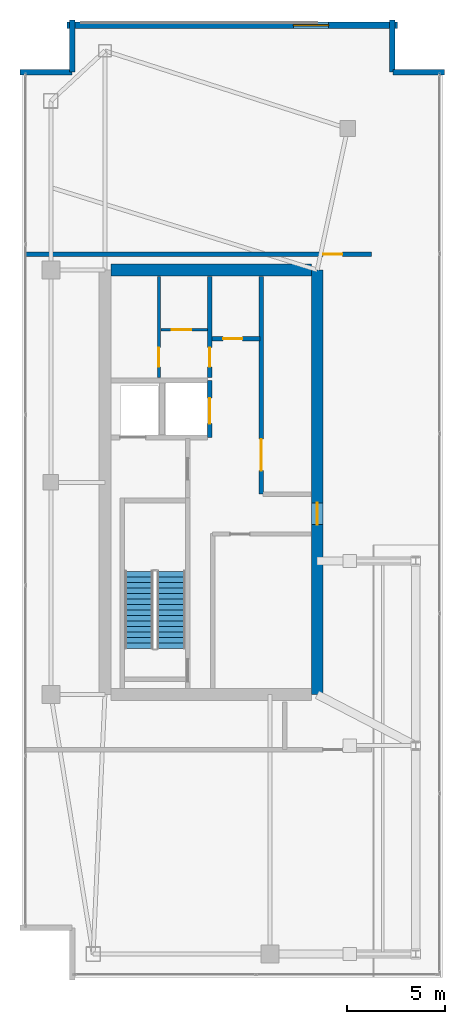
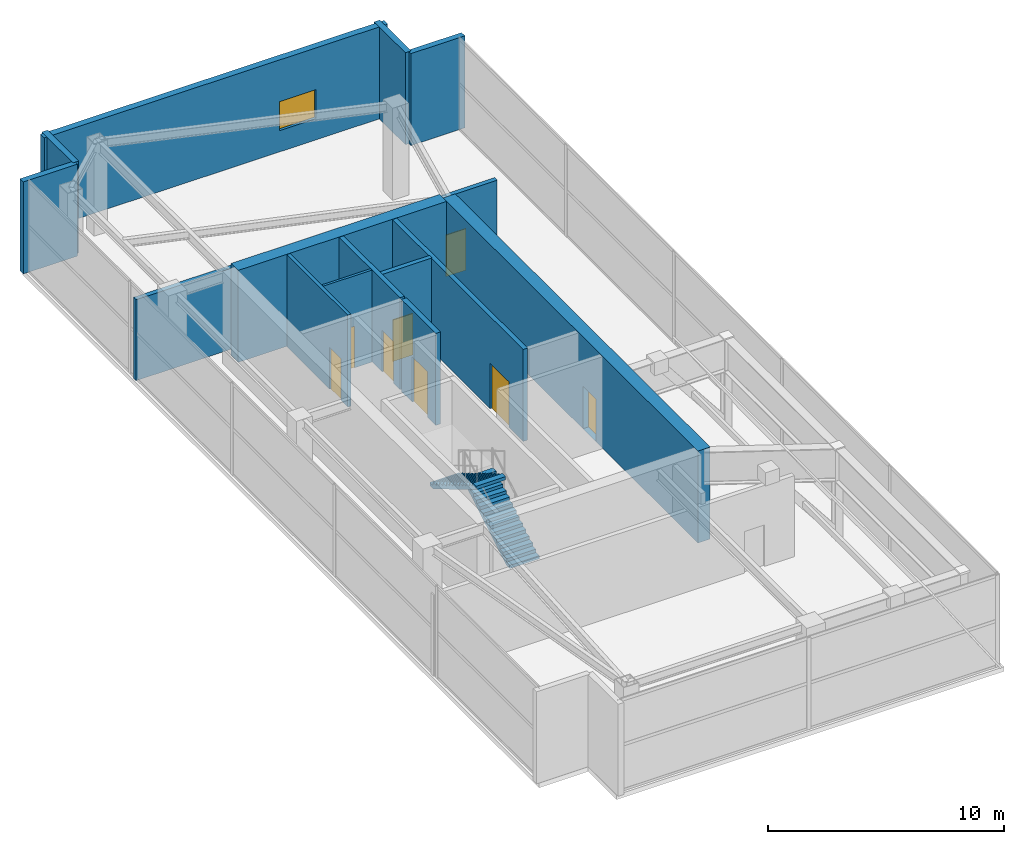
# One storey, part 18 of 20: 14 walls, 8 doors, 2 stair flights, 1 window, 9 openings, 1 element without a shape of its own.
"""IFC4 building model written with IfcOpenShell, lengths in metres."""

from ifc_helpers import new_model, si_unit, direction, frame, frame_2d, origin, place, context, subcontext, project, spatial, polyline, rectangle, outline, extrude, material, layer, layer_set, type_object, element, fill, aggregate, save


model = new_model("IFC4")

# Units and contexts
model_context = context("Model", 3, precision=1e-05, world=origin(), true_north=direction((0.0, 1.0)))
body_context = subcontext(model_context, "Body", "Model", "MODEL_VIEW")
ifc_project = project(units=[si_unit("LENGTHUNIT", "METRE"), si_unit("AREAUNIT", "SQUARE_METRE"), si_unit("VOLUMEUNIT", "CUBIC_METRE"), si_unit("PLANEANGLEUNIT", "RADIAN"), si_unit("MASSUNIT", "GRAM", prefix="KILO")], contexts=[model_context])

# Site, building, storey
site_placement = place(None, origin())
site = spatial("IfcSite", under=ifc_project, at=site_placement, CompositionType="ELEMENT")
building_placement = place(site_placement, origin())
building = spatial("IfcBuilding", under=site, at=building_placement, Name="Calvorn Quay Hotel", CompositionType="ELEMENT")
storey_placement = place(building_placement, frame((0.0, 0.0, 340.5)))
storey = spatial("IfcBuildingStorey", under=building, at=storey_placement, Name="L83", CompositionType="ELEMENT", Elevation=340.5)

# Wall, opening, door
ifc_material_1 = material(Name="Concrete C45", Category="concrete")
ifc_layer_1 = layer(ifc_material_1, 0.60009765625)
ifc_layer_set_1 = layer_set([ifc_layer_1], Name="WL-CORE-600")
wall_type_1 = type_object("IfcWallType", Name="WL-CORE-600", PredefinedType="SHEAR", material=ifc_layer_set_1)
wall_1_placement = place(storey_placement, frame((15.0, 16.800048828125, 0.0), z_axis=(0.0, 0.0, 1.0), x_axis=(0.0, 1.0, 0.0)))
wall_1 = element("IfcWall", 1, at=wall_1_placement, inside=storey, type_object=wall_type_1, Name="West Core Shear Wall E (L83)", PredefinedType="SHEAR", context=body_context, shape_type="SweptSolid", body=[
    extrude(rectangle(XDim=21.599853515625, YDim=0.60009765625, at=frame_2d((10.7998046875, 0.0))), origin(), (0.0, 0.0, 1.0), 4.760009765625),
])
opening_1_placement = place(wall_1_placement, frame((8.64990234375, 0.0, 0.0)))
opening_1 = element("IfcOpeningElement", 2, at=opening_1_placement, cuts=wall_1, Name="Opening D-L83-CW1", PredefinedType="OPENING", context=body_context, shape_type="SweptSolid", body=[
    extrude(rectangle(XDim=1.10009765625, YDim=2.199951171875, at=frame_2d((0.550048828125, 1.10009765625))), frame((0.0, 0.31005859375, 0.0), z_axis=(0.0, -1.0, 0.0), x_axis=(1.0, 0.0, 0.0)), (0.0, 0.0, 1.0), 0.6201171875),
])
ifc_material_2 = material(Name="Smoke-Sealed Steel Class A Fire Door", Category="steel")
door_type_1 = type_object("IfcDoorType", Name="DR-FFLOBBY-1100", OperationType="NOTDEFINED", PredefinedType="DOOR", material=ifc_material_2)
door_1_placement = place(opening_1_placement, origin())
door_1 = element("IfcDoor", 3, at=door_1_placement, inside=storey, type_object=door_type_1, Name="West Core Vestibule Fire Door (L83)", OperationType="SINGLE_SWING_RIGHT", OverallHeight=2.199951171875, OverallWidth=1.10009765625, PredefinedType="DOOR", context=body_context, shape_type="SweptSolid", body=[
    extrude(rectangle(XDim=1.10009765625, YDim=2.199951171875, at=frame_2d((0.550048828125, 1.10009765625))), frame((0.0, 0.02490234375, 0.0), z_axis=(0.0, -1.0, 0.0), x_axis=(1.0, 0.0, 0.0)), (0.0, 0.0, 1.0), 0.050048828125),
])
fill(opening_1, door_1)

# Wall
wall_2_placement = place(storey_placement, frame((4.5, 38.39990234375, 0.0), z_axis=(0.0, 0.0, 1.0), x_axis=(1.0, 0.0, 0.0)))
element("IfcWall", 4, at=wall_2_placement, inside=storey, type_object=wall_type_1, Name="West Core Shear Wall N (L83)", PredefinedType="SHEAR", context=body_context, shape_type="SweptSolid", body=[
    extrude(rectangle(XDim=10.199951171875, YDim=0.60009765625, at=frame_2d((5.10009765625, 0.0))), origin(), (0.0, 0.0, 1.0), 4.760009765625),
])

# Wall, opening, door
ifc_material_3 = material(Name="Moisture-Resistant Tile-Backed Partition")
ifc_layer_2 = layer(ifc_material_3, 0.125)
ifc_layer_set_2 = layer_set([ifc_layer_2], Name="WL-ENSUITE-125")
wall_type_2 = type_object("IfcWallType", Name="WL-ENSUITE-125", PredefinedType="PARTITIONING", material=ifc_layer_set_2)
wall_3_placement = place(storey_placement, frame((7.050048828125, 35.35009765625, 0.0), z_axis=(0.0, 0.0, 1.0), x_axis=(1.0, 0.0, 0.0)))
wall_3 = element("IfcWall", 5, at=wall_3_placement, inside=storey, type_object=wall_type_2, Name="Partition Wall L83-WL-CWW-K-H", PredefinedType="PARTITIONING", context=body_context, shape_type="SweptSolid", body=[
    extrude(rectangle(XDim=2.369873046875, YDim=0.125, at=frame_2d((1.18505859375, 0.0))), origin(), (0.0, 0.0, 1.0), 4.760009765625),
])
opening_2_placement = place(wall_3_placement, frame((0.550048828125, 0.0, 0.0)))
opening_2 = element("IfcOpeningElement", 6, at=opening_2_placement, cuts=wall_3, Name="Opening D-L83-CK3", PredefinedType="OPENING", context=body_context, shape_type="SweptSolid", body=[
    extrude(rectangle(XDim=0.97998046875, YDim=2.14990234375, at=frame_2d((0.489990234375, 1.074951171875))), frame((0.0, 0.072509765625, 0.0), z_axis=(0.0, -1.0, 0.0), x_axis=(1.0, 0.0, 0.0)), (0.0, 0.0, 1.0), 0.14501953125),
])
ifc_material_4 = material(Name="Painted Steel Housekeeping/Riser Fire Door", Category="steel")
door_type_2 = type_object("IfcDoorType", Name="DR-SERVICE-980", OperationType="NOTDEFINED", PredefinedType="DOOR", material=ifc_material_4)
door_2_placement = place(opening_2_placement, origin())
door_2 = element("IfcDoor", 7, at=door_2_placement, inside=storey, type_object=door_type_2, Name="Telecom Closet Door (L83)", OperationType="SINGLE_SWING_RIGHT", OverallHeight=2.14990234375, OverallWidth=0.97998046875, PredefinedType="DOOR", context=body_context, shape_type="SweptSolid", body=[
    extrude(rectangle(XDim=0.97998046875, YDim=2.14990234375, at=frame_2d((0.489990234375, 1.074951171875))), frame((0.0, 0.02490234375, 0.0), z_axis=(0.0, -1.0, 0.0), x_axis=(1.0, 0.0, 0.0)), (0.0, 0.0, 1.0), 0.050048828125),
])
fill(opening_2, door_2)

# Walls
ifc_material_5 = material(Name="Concrete C40", Category="concrete")
ifc_layer_3 = layer(ifc_material_5, 0.320068359375)
ifc_layer_set_3 = layer_set([ifc_layer_3], Name="WL-EXT-SPANDREL-320")
wall_type_3 = type_object("IfcWallType", Name="WL-EXT-SPANDREL-320", PredefinedType="SOLIDWALL", material=ifc_layer_set_3)
for number, where, z_axis, x_axis, name in (
    (8, (21.487060546875, 48.449951171875, 0.0), (0.0, 0.0, 1.0), (-1.0, 0.0, 0.0), "Crown Notched Corner Spandrel L83-C3"),
    (9, (18.81689453125, 48.47998046875, 0.0), (0.0, 0.0, 1.0), (0.0, 1.0, 0.0), "Crown Notched Corner Spandrel L83-C4"),
):
    element("IfcWall", number, at=place(storey_placement, frame(where, z_axis=z_axis, x_axis=x_axis)), inside=storey, type_object=wall_type_3, Name=name, PredefinedType="SOLIDWALL", context=body_context, shape_type="SweptSolid", body=[
        extrude(rectangle(XDim=2.64013671875, YDim=0.280029296875, at=frame_2d((1.320068359375, 0.0))), origin(), (0.0, 0.0, 1.0), 4.760009765625),
    ])

# Wall, opening, window
wall_4_placement = place(storey_placement, frame((19.0869140625, 50.85009765625, 0.0), z_axis=(0.0, 0.0, 1.0), x_axis=(-1.0, 0.0, 0.0)))
wall_4 = element("IfcWall", 10, at=wall_4_placement, inside=storey, type_object=wall_type_3, Name="Crown North Louvred Plant Wall (L83)", PredefinedType="SOLIDWALL", context=body_context, shape_type="SweptSolid", body=[
    extrude(rectangle(XDim=16.806884765625, YDim=0.320068359375, at=frame_2d((8.4033203125, 0.0))), origin(), (0.0, 0.0, 1.0), 4.760009765625),
])
opening_3_placement = place(wall_4_placement, frame((3.5, 0.0, 1.10009765625)))
opening_3 = element("IfcOpeningElement", 11, at=opening_3_placement, cuts=wall_4, Name="Opening WPL-L83-1", PredefinedType="OPENING", context=body_context, shape_type="SweptSolid", body=[
    extrude(rectangle(XDim=1.800048828125, YDim=1.5, at=frame_2d((0.89990234375, 0.75))), frame((0.0, 0.169921875, 0.0), z_axis=(0.0, -1.0, 0.0), x_axis=(1.0, 0.0, 0.0)), (0.0, 0.0, 1.0), 0.340087890625),
])
ifc_material_6 = material(Name="Acoustic Weatherproof Aluminium Louvre Unit", Category="aluminium")
window_type = type_object("IfcWindowType", Name="WIN-PLANT-LOUVRE-1800x1500", PartitioningType="SINGLE_PANEL", PredefinedType="WINDOW", material=ifc_material_6)
window_placement = place(opening_3_placement, origin())
window = element("IfcWindow", 12, at=window_placement, inside=storey, type_object=window_type, Name="Crown Plant Acoustic Louvre (L83)", OverallHeight=1.5, OverallWidth=1.800048828125, PartitioningType="SINGLE_PANEL", PredefinedType="WINDOW", context=body_context, shape_type="SweptSolid", body=[
    extrude(rectangle(XDim=1.800048828125, YDim=1.5, at=frame_2d((0.89990234375, 0.75))), frame((0.0, 0.030029296875, 0.0), z_axis=(0.0, -1.0, 0.0), x_axis=(1.0, 0.0, 0.0)), (0.0, 0.0, 1.0), 0.06005859375),
])
fill(opening_3, window)

# Walls
for number, where, z_axis, x_axis, name in (
    (13, (2.550048828125, 51.1201171875, 0.0), (0.0, 0.0, 1.0), (0.0, -1.0, 0.0), "Crown Notched Corner Spandrel L83-C5"),
    (14, (2.52001953125, 48.449951171875, 0.0), (0.0, 0.0, 1.0), (-1.0, 0.0, 0.0), "Crown Notched Corner Spandrel L83-C6"),
):
    element("IfcWall", number, at=place(storey_placement, frame(where, z_axis=z_axis, x_axis=x_axis)), inside=storey, type_object=wall_type_3, Name=name, PredefinedType="SOLIDWALL", context=body_context, shape_type="SweptSolid", body=[
        extrude(rectangle(XDim=2.64013671875, YDim=0.280029296875, at=frame_2d((1.320068359375, 0.0))), origin(), (0.0, 0.0, 1.0), 4.760009765625),
    ])

# Wall, opening, door
ifc_material_7 = material(Name="Double-Stud Acoustic Gypsum Partition")
ifc_layer_4 = layer(ifc_material_7, 0.159912109375)
ifc_layer_set_4 = layer_set([ifc_layer_4], Name="WL-INTERSUITE-160")
wall_type_4 = type_object("IfcWallType", Name="WL-INTERSUITE-160", PredefinedType="PARTITIONING", material=ifc_layer_set_4)
wall_5_placement = place(storey_placement, frame((6.949951171875, 32.919921875, 0.0), z_axis=(0.0, 0.0, 1.0), x_axis=(0.0, 1.0, 0.0)))
wall_5 = element("IfcWall", 15, at=wall_5_placement, inside=storey, type_object=wall_type_4, Name="Partition Wall L83-WL-CWW-K-V", PredefinedType="PARTITIONING", context=body_context, shape_type="SweptSolid", body=[
    extrude(rectangle(XDim=5.16015625, YDim=0.159912109375, at=frame_2d((2.580078125, 0.0))), origin(), (0.0, 0.0, 1.0), 4.760009765625),
])
opening_4_placement = place(wall_5_placement, frame((0.550048828125, 0.0, 0.0)))
opening_4 = element("IfcOpeningElement", 16, at=opening_4_placement, cuts=wall_5, Name="Opening D-L83-CK1", PredefinedType="OPENING", context=body_context, shape_type="SweptSolid", body=[
    extrude(rectangle(XDim=0.97998046875, YDim=2.14990234375, at=frame_2d((0.489990234375, 1.074951171875))), frame((0.0, 0.08984375, 0.0), z_axis=(0.0, -1.0, 0.0), x_axis=(1.0, 0.0, 0.0)), (0.0, 0.0, 1.0), 0.179931640625),
])
door_3_placement = place(opening_4_placement, origin())
door_3 = element("IfcDoor", 17, at=door_3_placement, inside=storey, type_object=door_type_2, Name="Pipe Riser Door (L83)", OperationType="SINGLE_SWING_LEFT", OverallHeight=2.14990234375, OverallWidth=0.97998046875, PredefinedType="DOOR", context=body_context, shape_type="SweptSolid", body=[
    extrude(rectangle(XDim=0.97998046875, YDim=2.14990234375, at=frame_2d((0.489990234375, 1.074951171875))), frame((0.0, 0.02490234375, 0.0), z_axis=(0.0, -1.0, 0.0), x_axis=(1.0, 0.0, 0.0)), (0.0, 0.0, 1.0), 0.050048828125),
])
fill(opening_4, door_3)

ifc_material_8 = material(Name="Autoclaved Aerated Masonry Block", Category="masonry")
ifc_layer_5 = layer(ifc_material_8, 0.219970703125)
ifc_layer_set_5 = layer_set([ifc_layer_5], Name="WL-LOBBY-FIRE-220")
wall_type_5 = type_object("IfcWallType", Name="WL-LOBBY-FIRE-220", PredefinedType="SOLIDWALL", material=ifc_layer_set_5)
wall_6_placement = place(storey_placement, frame((9.5400390625, 32.919921875, 0.0), z_axis=(0.0, 0.0, 1.0), x_axis=(0.0, 1.0, 0.0)))
wall_6 = element("IfcWall", 18, at=wall_6_placement, inside=storey, type_object=wall_type_5, Name="Partition Wall L83-WL-CWW-K-E", PredefinedType="SOLIDWALL", context=body_context, shape_type="SweptSolid", body=[
    extrude(rectangle(XDim=5.16015625, YDim=0.219970703125, at=frame_2d((2.580078125, 0.0))), origin(), (0.0, 0.0, 1.0), 4.760009765625),
])
opening_5_placement = place(wall_6_placement, frame((0.550048828125, 0.0, 0.0)))
opening_5 = element("IfcOpeningElement", 19, at=opening_5_placement, cuts=wall_6, Name="Opening D-L83-CK2", PredefinedType="OPENING", context=body_context, shape_type="SweptSolid", body=[
    extrude(rectangle(XDim=0.97998046875, YDim=2.14990234375, at=frame_2d((0.489990234375, 1.074951171875))), frame((0.0, 0.119873046875, 0.0), z_axis=(0.0, -1.0, 0.0), x_axis=(1.0, 0.0, 0.0)), (0.0, 0.0, 1.0), 0.239990234375),
])
door_4_placement = place(opening_5_placement, origin())
door_4 = element("IfcDoor", 20, at=door_4_placement, inside=storey, type_object=door_type_2, Name="Valet Closet Door (L83)", OperationType="SINGLE_SWING_LEFT", OverallHeight=2.14990234375, OverallWidth=0.97998046875, PredefinedType="DOOR", context=body_context, shape_type="SweptSolid", body=[
    extrude(rectangle(XDim=0.97998046875, YDim=2.14990234375, at=frame_2d((0.489990234375, 1.074951171875))), frame((0.0, 0.02490234375, 0.0), z_axis=(0.0, -1.0, 0.0), x_axis=(1.0, 0.0, 0.0)), (0.0, 0.0, 1.0), 0.050048828125),
])
fill(opening_5, door_4)

wall_7_placement = place(storey_placement, frame((12.14990234375, 27.0, 0.0), z_axis=(0.0, 0.0, 1.0), x_axis=(0.0, 1.0, 0.0)))
wall_7 = element("IfcWall", 21, at=wall_7_placement, inside=storey, type_object=wall_type_5, Name="Partition Wall L83-WL-CWW-OV-W", PredefinedType="SOLIDWALL", context=body_context, shape_type="SweptSolid", body=[
    extrude(rectangle(XDim=11.080078125, YDim=0.219970703125, at=frame_2d((5.5400390625, 0.0))), origin(), (0.0, 0.0, 1.0), 4.760009765625),
])
opening_6_placement = place(wall_7_placement, frame((1.199951171875, 0.0, 0.0)))
opening_6 = element("IfcOpeningElement", 22, at=opening_6_placement, cuts=wall_7, Name="Opening D-L83-OV1", PredefinedType="OPENING", context=body_context, shape_type="SweptSolid", body=[
    extrude(rectangle(XDim=1.60009765625, YDim=2.35009765625, at=frame_2d((0.800048828125, 1.175048828125))), frame((0.0, 0.119873046875, 0.0), z_axis=(0.0, -1.0, 0.0), x_axis=(1.0, 0.0, 0.0)), (0.0, 0.0, 1.0), 0.239990234375),
])
ifc_material_9 = material(Name="Heavy-Duty Steel Acoustic Plant Fire Door", Category="steel")
door_type_3 = type_object("IfcDoorType", Name="DR-PLANT-DBL-1600", OperationType="NOTDEFINED", PredefinedType="DOOR", material=ifc_material_9)
door_5_placement = place(opening_6_placement, origin())
door_5 = element("IfcDoor", 23, at=door_5_placement, inside=storey, type_object=door_type_3, Name="Lift Machine Plant Door (L83)", OperationType="SINGLE_SWING_LEFT", OverallHeight=2.35009765625, OverallWidth=1.60009765625, PredefinedType="DOOR", context=body_context, shape_type="SweptSolid", body=[
    extrude(rectangle(XDim=1.60009765625, YDim=2.35009765625, at=frame_2d((0.800048828125, 1.175048828125))), frame((0.0, 0.02490234375, 0.0), z_axis=(0.0, -1.0, 0.0), x_axis=(1.0, 0.0, 0.0)), (0.0, 0.0, 1.0), 0.050048828125),
])
fill(opening_6, door_5)

wall_8_placement = place(storey_placement, frame((9.659912109375, 34.89990234375, 0.0), z_axis=(0.0, 0.0, 1.0), x_axis=(1.0, 0.0, 0.0)))
wall_8 = element("IfcWall", 24, at=wall_8_placement, inside=storey, type_object=wall_type_5, Name="Partition Wall L83-WL-CWW-OV-H2S", PredefinedType="SOLIDWALL", context=body_context, shape_type="SweptSolid", body=[
    extrude(rectangle(XDim=2.420166015625, YDim=0.219970703125, at=frame_2d((1.2099609375, 0.0))), origin(), (0.0, 0.0, 1.0), 4.760009765625),
])
opening_7_placement = place(wall_8_placement, frame((0.550048828125, 0.0, 0.0)))
opening_7 = element("IfcOpeningElement", 25, at=opening_7_placement, cuts=wall_8, Name="Opening D-L83-OV2", PredefinedType="OPENING", context=body_context, shape_type="SweptSolid", body=[
    extrude(rectangle(XDim=0.97998046875, YDim=2.14990234375, at=frame_2d((0.489990234375, 1.074951171875))), frame((0.0, 0.119873046875, 0.0), z_axis=(0.0, -1.0, 0.0), x_axis=(1.0, 0.0, 0.0)), (0.0, 0.0, 1.0), 0.239990234375),
])
door_6_placement = place(opening_7_placement, origin())
door_6 = element("IfcDoor", 26, at=door_6_placement, inside=storey, type_object=door_type_2, Name="Pressurization Closet Door (L83)", OperationType="SINGLE_SWING_RIGHT", OverallHeight=2.14990234375, OverallWidth=0.97998046875, PredefinedType="DOOR", context=body_context, shape_type="SweptSolid", body=[
    extrude(rectangle(XDim=0.97998046875, YDim=2.14990234375, at=frame_2d((0.489990234375, 1.074951171875))), frame((0.0, 0.02490234375, 0.0), z_axis=(0.0, -1.0, 0.0), x_axis=(1.0, 0.0, 0.0)), (0.0, 0.0, 1.0), 0.050048828125),
])
fill(opening_7, door_6)

wall_9_placement = place(storey_placement, frame((0.080078125, 39.199951171875, 0.0), z_axis=(0.0, 0.0, 1.0), x_axis=(1.0, 0.0, 0.0)))
wall_9 = element("IfcWall", 27, at=wall_9_placement, inside=storey, type_object=wall_type_5, Name="Partition Wall L83-WL-CR-N", PredefinedType="SOLIDWALL", context=body_context, shape_type="SweptSolid", body=[
    extrude(rectangle(XDim=17.669921875, YDim=0.219970703125, at=frame_2d((8.8349609375, 0.0))), origin(), (0.0, 0.0, 1.0), 4.18994140625),
])
opening_8_placement = place(wall_9_placement, frame((15.219970703125, 0.0, 0.0)))
opening_8 = element("IfcOpeningElement", 28, at=opening_8_placement, cuts=wall_9, Name="Opening D-L83-C2", PredefinedType="OPENING", context=body_context, shape_type="SweptSolid", body=[
    extrude(rectangle(XDim=0.97998046875, YDim=2.14990234375, at=frame_2d((0.489990234375, 1.074951171875))), frame((0.0, 0.119873046875, 0.0), z_axis=(0.0, -1.0, 0.0), x_axis=(1.0, 0.0, 0.0)), (0.0, 0.0, 1.0), 0.239990234375),
])
door_7_placement = place(opening_8_placement, origin())
door_7 = element("IfcDoor", 29, at=door_7_placement, inside=storey, type_object=door_type_2, Name="Pressurization Plant Room Door", OperationType="SINGLE_SWING_RIGHT", OverallHeight=2.14990234375, OverallWidth=0.97998046875, PredefinedType="DOOR", context=body_context, shape_type="SweptSolid", body=[
    extrude(rectangle(XDim=0.97998046875, YDim=2.14990234375, at=frame_2d((0.489990234375, 1.074951171875))), frame((0.0, 0.02490234375, 0.0), z_axis=(0.0, -1.0, 0.0), x_axis=(1.0, 0.0, 0.0)), (0.0, 0.0, 1.0), 0.050048828125),
])
fill(opening_8, door_7)

ifc_material_10 = material(Name="Concrete C40", Category="concrete")
ifc_layer_6 = layer(ifc_material_10, 0.239990234375)
ifc_layer_set_6 = layer_set([ifc_layer_6], Name="WL-SHAFT-240")
wall_type_6 = type_object("IfcWallType", Name="WL-SHAFT-240", PredefinedType="SOLIDWALL", material=ifc_layer_set_6)
wall_10_placement = place(storey_placement, frame((9.5400390625, 29.8798828125, 0.0), z_axis=(0.0, 0.0, 1.0), x_axis=(0.0, 1.0, 0.0)))
wall_10 = element("IfcWall", 30, at=wall_10_placement, inside=storey, type_object=wall_type_6, Name="Partition Wall L83-WL-CWW-SLW-E", PredefinedType="SOLIDWALL", context=body_context, shape_type="SweptSolid", body=[
    extrude(rectangle(XDim=2.900146484375, YDim=0.239990234375, at=frame_2d((1.4501953125, 0.0))), origin(), (0.0, 0.0, 1.0), 4.760009765625),
])
opening_9_placement = place(wall_10_placement, frame((0.699951171875, 0.0, 0.0)))
opening_9 = element("IfcOpeningElement", 31, at=opening_9_placement, cuts=wall_10, Name="Opening LD-L83-SLW1", PredefinedType="OPENING", context=body_context, shape_type="SweptSolid", body=[
    extrude(rectangle(XDim=1.300048828125, YDim=2.35009765625, at=frame_2d((0.64990234375, 1.175048828125))), frame((0.0, 0.1298828125, 0.0), z_axis=(0.0, -1.0, 0.0), x_axis=(1.0, 0.0, 0.0)), (0.0, 0.0, 1.0), 0.260009765625),
])
ifc_material_11 = material(Name="Champagne-Bronze Sliding Express Lift Landing Door")
door_type_4 = type_object("IfcDoorType", Name="DR-LIFT-SHUTTLE-1300", OperationType="NOTDEFINED", PredefinedType="DOOR", material=ifc_material_11)
door_8_placement = place(opening_9_placement, origin())
door_8 = element("IfcDoor", 32, at=door_8_placement, inside=storey, type_object=door_type_4, Name="Service Lift SL-W1 Landing Door (L83)", OperationType="DOUBLE_DOOR_SLIDING", OverallHeight=2.35009765625, OverallWidth=1.300048828125, PredefinedType="DOOR", context=body_context, shape_type="SweptSolid", body=[
    extrude(rectangle(XDim=1.300048828125, YDim=2.35009765625, at=frame_2d((0.64990234375, 1.175048828125))), frame((0.0, 0.02490234375, 0.0), z_axis=(0.0, -1.0, 0.0), x_axis=(1.0, 0.0, 0.0)), (0.0, 0.0, 1.0), 0.050048828125),
])
fill(opening_9, door_8)

# Stair, stair flights
ifc_material_12 = material(Name="Concrete C40", Category="concrete")
stair_type = type_object("IfcStairType", Name="STR-CORE-DOGLEG", PredefinedType="HALF_TURN_STAIR", material=ifc_material_12)
stair_placement = place(storey_placement, origin())
stair = element("IfcStair", 33, at=stair_placement, inside=storey, type_object=stair_type, Name="L83 ST-W", PredefinedType="HALF_TURN_STAIR")
ifc_material_13 = material(Name="Concrete C40", Category="concrete")
stair_flight_type = type_object("IfcStairFlightType", Name="FLT-CORE-1550", PredefinedType="STRAIGHT", material=ifc_material_13)
stair_flight_1_placement = place(storey_placement, frame((7.574951171875, 19.14990234375, 0.0), z_axis=(0.0, 0.0, 1.0), x_axis=(0.0, 1.0, 0.0)))
stair_flight_1 = element("IfcStairFlight", 34, at=stair_flight_1_placement, type_object=stair_flight_type, Name="ST-W flight 1", NumberOfRisers=15, NumberOfTreads=14, PredefinedType="STRAIGHT", RiserHeight=0.166666667, TreadLength=0.28, context=body_context, shape_type="SweptSolid", body=[
    extrude(outline(polyline([(0.0, 0.0), (0.0, 0.166748046875), (0.280029296875, 0.166748046875), (0.280029296875, 0.333251953125), (0.56005859375, 0.333251953125), (0.56005859375, 0.5), (0.840087890625, 0.5), (0.840087890625, 0.666748046875), (1.1201171875, 0.666748046875), (1.1201171875, 0.833251953125), (1.39990234375, 0.833251953125), (1.39990234375, 1.0), (1.679931640625, 1.0), (1.679931640625, 1.166748046875), (1.9599609375, 1.166748046875), (1.9599609375, 1.333251953125), (2.239990234375, 1.333251953125), (2.239990234375, 1.5), (2.52001953125, 1.5), (2.52001953125, 1.666748046875), (2.800048828125, 1.666748046875), (2.800048828125, 1.833251953125), (3.080078125, 1.833251953125), (3.080078125, 2.0), (3.360107421875, 2.0), (3.360107421875, 2.166748046875), (3.639892578125, 2.166748046875), (3.639892578125, 2.333251953125), (3.919921875, 2.333251953125), (3.919921875, 2.5), (3.919921875, 2.158935546875), (0.29296875, 0.0), (0.0, 0.0)])), frame((0.0, 0.72509765625, 0.0), z_axis=(0.0, -1.0, 0.0), x_axis=(1.0, 0.0, 0.0)), (0.0, 0.0, 1.0), 1.449951171875),
])
stair_flight_2_placement = place(storey_placement, frame((5.925048828125, 23.070068359375, 2.5), z_axis=(0.0, 0.0, 1.0), x_axis=(0.0, -1.0, 0.0)))
stair_flight_2 = element("IfcStairFlight", 35, at=stair_flight_2_placement, type_object=stair_flight_type, Name="ST-W flight 2", NumberOfRisers=15, NumberOfTreads=14, PredefinedType="STRAIGHT", RiserHeight=0.166666667, TreadLength=0.28, context=body_context, shape_type="SweptSolid", body=[
    extrude(outline(polyline([(0.0, 0.0), (0.0, 0.166748046875), (0.280029296875, 0.166748046875), (0.280029296875, 0.333251953125), (0.56005859375, 0.333251953125), (0.56005859375, 0.5), (0.840087890625, 0.5), (0.840087890625, 0.666748046875), (1.1201171875, 0.666748046875), (1.1201171875, 0.833251953125), (1.39990234375, 0.833251953125), (1.39990234375, 1.0), (1.679931640625, 1.0), (1.679931640625, 1.166748046875), (1.9599609375, 1.166748046875), (1.9599609375, 1.333251953125), (2.239990234375, 1.333251953125), (2.239990234375, 1.5), (2.52001953125, 1.5), (2.52001953125, 1.666748046875), (2.800048828125, 1.666748046875), (2.800048828125, 1.833251953125), (3.080078125, 1.833251953125), (3.080078125, 2.0), (3.360107421875, 2.0), (3.360107421875, 2.166748046875), (3.639892578125, 2.166748046875), (3.639892578125, 2.333251953125), (3.919921875, 2.333251953125), (3.919921875, 2.5), (3.919921875, 2.158935546875), (0.29296875, 0.0), (0.0, 0.0)])), frame((0.0, 0.72509765625, 0.0), z_axis=(0.0, -1.0, 0.0), x_axis=(1.0, 0.0, 0.0)), (0.0, 0.0, 1.0), 1.449951171875),
])
aggregate(stair, [stair_flight_1, stair_flight_2])

save(model, "model.ifc")
